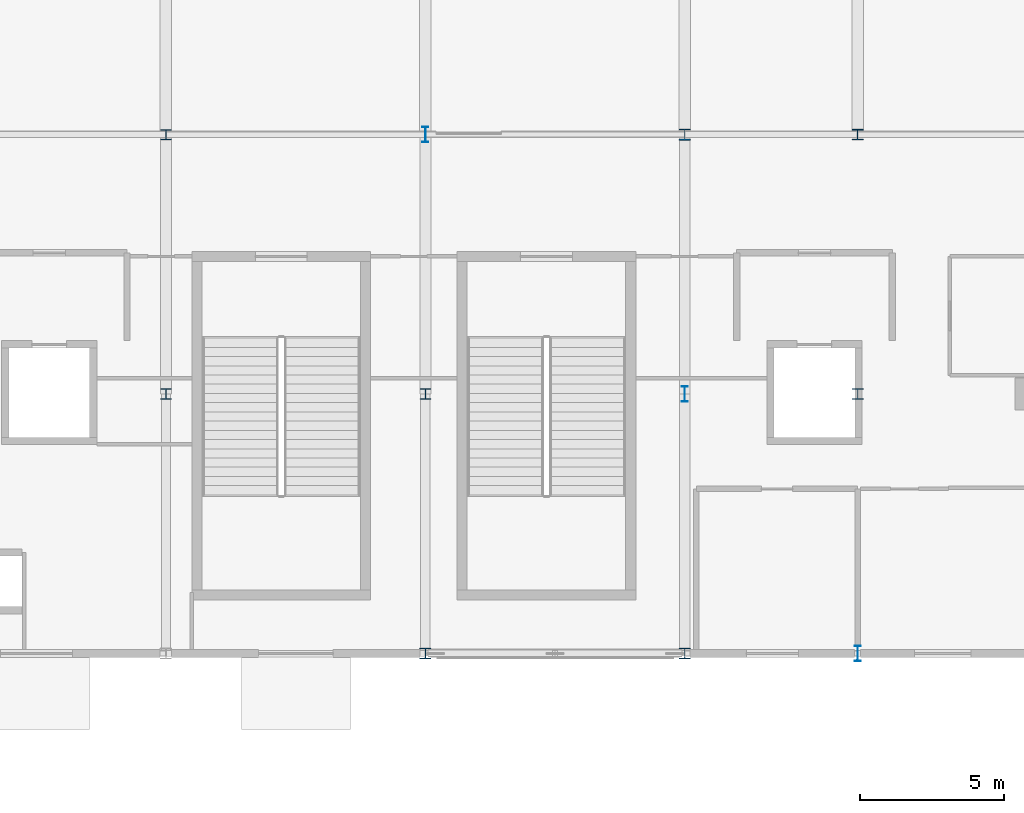
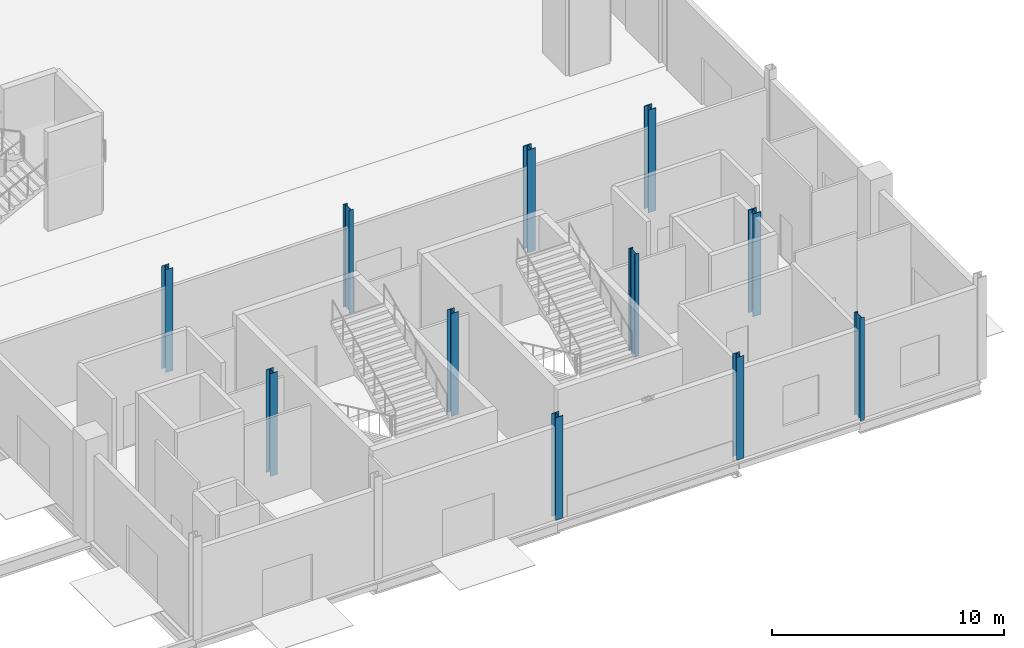
# One storey, part 14 of 94: 11 columns.
"""IFC4 building model written with IfcOpenShell, lengths in metres."""

from ifc_helpers import new_model, si_unit, direction, frame, origin, origin_2d, place, context, subcontext, project, spatial, i_section, extrude, material, material_profile, profile_set, type_object, element, save


model = new_model("IFC4")

# Units and contexts
model_context = context("Model", 3, precision=1e-05, world=origin(), true_north=direction((0.0, 1.0)))
body_context = subcontext(model_context, "Body", "Model", "MODEL_VIEW")
ifc_project = project(units=[si_unit("LENGTHUNIT", "METRE"), si_unit("AREAUNIT", "SQUARE_METRE"), si_unit("VOLUMEUNIT", "CUBIC_METRE"), si_unit("PLANEANGLEUNIT", "RADIAN"), si_unit("MASSUNIT", "GRAM", prefix="KILO")], contexts=[model_context])

# Site, building, storey
site_placement = place(None, origin())
site = spatial("IfcSite", under=ifc_project, at=site_placement, CompositionType="ELEMENT")
building_placement = place(site_placement, origin())
building = spatial("IfcBuilding", under=site, at=building_placement, Name="Qamarlyn Nura Convention Centre", CompositionType="ELEMENT")
storey_placement = place(building_placement, origin())
storey = spatial("IfcBuildingStorey", under=building, at=storey_placement, Name="L00", CompositionType="ELEMENT", Elevation=0.0)

# Columns
ifc_material = material(Name="Steel ASTM A992", Category="steel")
ifc_material_profile_1 = material_profile(ifc_material, i_section(OverallWidth=0.39892578125, OverallDepth=0.39306640625, WebThickness=0.022705078125, FlangeThickness=0.03662109375, FilletRadius=0.01806640625, at=origin_2d()), Name="W360X287")
ifc_profile_set_1 = profile_set([ifc_material_profile_1], Name="Steel ASTM A992")
column_type_1 = type_object("IfcColumnType", Name="COL-WING-1", PredefinedType="COLUMN", material=ifc_profile_set_1)
for number, where, z_axis, x_axis, name in (
    (1, (180.0, 18.0, 0.0), (0.0, 0.0, 1.0), (1.0, 0.0, 0.0), "L00 column 16/C"),
    (2, (186.0, 9.0, 0.0), (0.0, 0.0, 1.0), (1.0, 0.0, 0.0), "L00 column 17/B"),
):
    element("IfcColumn", number, at=place(storey_placement, frame(where, z_axis=z_axis, x_axis=x_axis)), inside=storey, type_object=column_type_1, Name=name, PredefinedType="COLUMN", context=body_context, shape_type="SweptSolid", body=[
        extrude(i_section(OverallWidth=0.39892578125, OverallDepth=0.39306640625, WebThickness=0.022705078125, FlangeThickness=0.03662109375, FilletRadius=0.01806640625, at=origin_2d()), origin(), (0.0, 0.0, 1.0), 5.39990234375),
    ])
ifc_material_profile_2 = material_profile(ifc_material, i_section(OverallWidth=0.3740234375, OverallDepth=0.3720703125, WebThickness=0.016357421875, FlangeThickness=0.026123046875, FilletRadius=0.01611328125, at=origin_2d()), Name="W360X196")
ifc_profile_set_2 = profile_set([ifc_material_profile_2], Name="Steel ASTM A992")
column_type_2 = type_object("IfcColumnType", Name="COL-WING-2", PredefinedType="COLUMN", material=ifc_profile_set_2)
for number, where, z_axis, x_axis, name in (
    (3, (162.0, 9.0, 0.0), (0.0, 0.0, 1.0), (1.0, 0.0, 0.0), "L00 column 14/B"),
    (4, (171.0, 0.0, 0.0), (0.0, 0.0, 1.0), (1.0, 0.0, 0.0), "L00 column 15/A"),
    (5, (186.0, 18.0, 0.0), (0.0, 0.0, 1.0), (1.0, 0.0, 0.0), "L00 column 17/C"),
):
    element("IfcColumn", number, at=place(storey_placement, frame(where, z_axis=z_axis, x_axis=x_axis)), inside=storey, type_object=column_type_2, Name=name, PredefinedType="COLUMN", context=body_context, shape_type="SweptSolid", body=[
        extrude(i_section(OverallWidth=0.3740234375, OverallDepth=0.3720703125, WebThickness=0.016357421875, FlangeThickness=0.026123046875, FilletRadius=0.01611328125, at=origin_2d()), origin(), (0.0, 0.0, 1.0), 5.39990234375),
    ])
ifc_material_profile_3 = material_profile(ifc_material, i_section(OverallWidth=0.368896484375, OverallDepth=0.35595703125, WebThickness=0.01123046875, FlangeThickness=0.01806640625, FilletRadius=0.014892578125, at=origin_2d()), Name="W360X134")
ifc_profile_set_3 = profile_set([ifc_material_profile_3], Name="Steel ASTM A992")
column_type_3 = type_object("IfcColumnType", Name="COL-WING-3", PredefinedType="COLUMN", material=ifc_profile_set_3)
for number, where, z_axis, x_axis, name in (
    (6, (162.0, 18.0, 0.0), (0.0, 0.0, 1.0), (1.0, 0.0, 0.0), "L00 column 14/C"),
    (7, (171.0, 9.0, 0.0), (0.0, 0.0, 1.0), (1.0, 0.0, 0.0), "L00 column 15/B"),
    (8, (180.0, 0.0, 0.0), (0.0, 0.0, 1.0), (1.0, 0.0, 0.0), "L00 column 16/A"),
):
    element("IfcColumn", number, at=place(storey_placement, frame(where, z_axis=z_axis, x_axis=x_axis)), inside=storey, type_object=column_type_3, Name=name, PredefinedType="COLUMN", context=body_context, shape_type="SweptSolid", body=[
        extrude(i_section(OverallWidth=0.368896484375, OverallDepth=0.35595703125, WebThickness=0.01123046875, FlangeThickness=0.01806640625, FilletRadius=0.014892578125, at=origin_2d()), origin(), (0.0, 0.0, 1.0), 5.39990234375),
    ])
ifc_material_profile_4 = material_profile(ifc_material, i_section(OverallWidth=0.2109375, OverallDepth=0.5390625, WebThickness=0.01171875, FlangeThickness=0.018798828125, FilletRadius=0.013916015625, at=origin_2d()), Name="W530X109")
ifc_profile_set_4 = profile_set([ifc_material_profile_4], Name="Steel ASTM A992")
column_type_4 = type_object("IfcColumnType", Name="COL-WING-7", PredefinedType="COLUMN", material=ifc_profile_set_4)
for number, where, z_axis, x_axis, name in (
    (9, (171.0, 18.0, 0.0), (0.0, 0.0, 1.0), (1.0, 0.0, 0.0), "L00 column 15/C"),
    (10, (180.0, 9.0, 0.0), (0.0, 0.0, 1.0), (1.0, 0.0, 0.0), "L00 column 16/B"),
    (11, (186.0, 0.0, 0.0), (0.0, 0.0, 1.0), (1.0, 0.0, 0.0), "L00 column 17/A"),
):
    element("IfcColumn", number, at=place(storey_placement, frame(where, z_axis=z_axis, x_axis=x_axis)), inside=storey, type_object=column_type_4, Name=name, PredefinedType="COLUMN", context=body_context, shape_type="SweptSolid", body=[
        extrude(i_section(OverallWidth=0.2109375, OverallDepth=0.5390625, WebThickness=0.01171875, FlangeThickness=0.018798828125, FilletRadius=0.013916015625, at=origin_2d()), origin(), (0.0, 0.0, 1.0), 5.39990234375),
    ])

save(model, "model.ifc")
